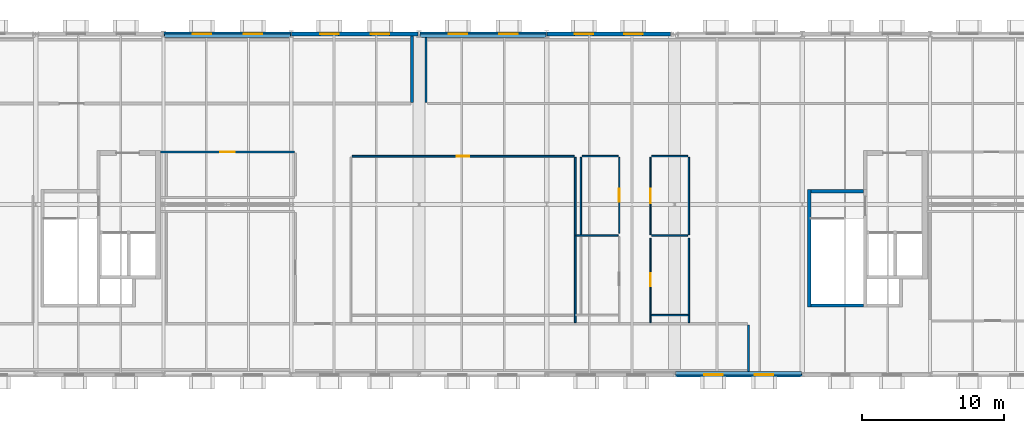
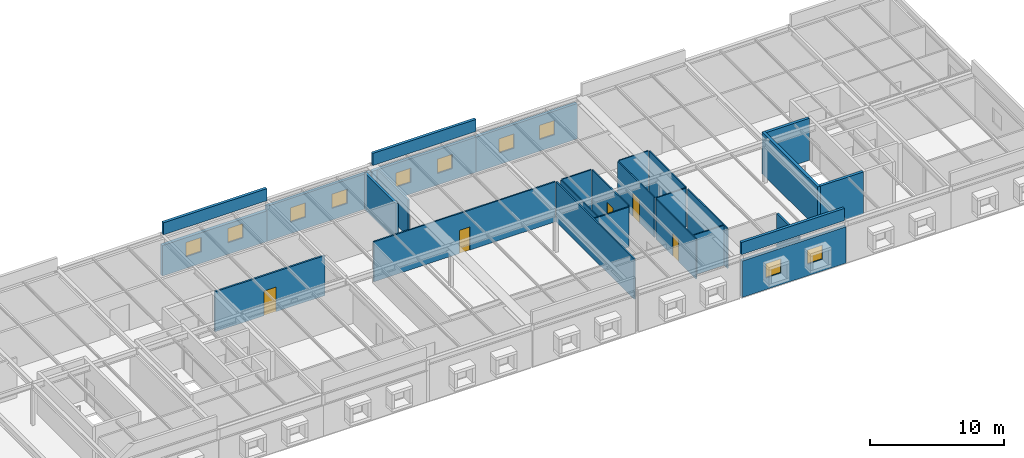
# One storey, part 13 of 16: 28 walls, 10 windows, 5 doors, 15 openings.
"""IFC4 building model written with IfcOpenShell, lengths in metres."""

from ifc_helpers import new_model, si_unit, direction, frame, frame_2d, origin, place, context, subcontext, project, spatial, rectangle, extrude, material, layer, layer_set, type_object, element, fill, save


model = new_model("IFC4")

# Units and contexts
model_context = context("Model", 3, precision=1e-05, world=origin(), true_north=direction((0.0, 1.0)))
body_context = subcontext(model_context, "Body", "Model", "MODEL_VIEW")
ifc_project = project(units=[si_unit("LENGTHUNIT", "METRE"), si_unit("AREAUNIT", "SQUARE_METRE"), si_unit("VOLUMEUNIT", "CUBIC_METRE"), si_unit("PLANEANGLEUNIT", "RADIAN"), si_unit("MASSUNIT", "GRAM", prefix="KILO")], contexts=[model_context])

# Site, building, storey
site_placement = place(None, origin())
site = spatial("IfcSite", under=ifc_project, at=site_placement, CompositionType="ELEMENT")
building_placement = place(site_placement, origin())
building = spatial("IfcBuilding", under=site, at=building_placement, Name="Montelvaro Courts of Justice", CompositionType="ELEMENT")
storey_placement = place(building_placement, frame((0.0, 0.0, 35.39990234375)))
storey = spatial("IfcBuildingStorey", under=building, at=storey_placement, Name="L08", CompositionType="ELEMENT", Elevation=35.39990234375)

# Walls
ifc_material_1 = material(Name="Gypsum board on metal stud")
ifc_layer_1 = layer(ifc_material_1, 0.14990234375)
ifc_layer_set_1 = layer_set([ifc_layer_1], Name="Gypsum board on metal stud")
wall_type_1 = type_object("IfcWallType", Name="ChambersPartition_150", PredefinedType="PARTITIONING", material=ifc_layer_set_1)
wall_1_placement = place(storey_placement, frame((104.199951171875, 3.52001953125, 0.0), z_axis=(0.0, 0.0, 1.0), x_axis=(0.0, -1.0, 0.0)))
element("IfcWall", 1, at=wall_1_placement, inside=storey, type_object=wall_type_1, Name="Interior Partition IW-04 (L08)", PredefinedType="PARTITIONING", context=body_context, shape_type="SweptSolid", body=[
    extrude(rectangle(XDim=3.284912109375, YDim=0.14990234375, at=frame_2d((1.642578125, 0.0))), origin(), (0.0, 0.0, 1.0), 3.64013671875),
])
wall_2_placement = place(storey_placement, frame((81.5, 19.179931640625, 0.0), z_axis=(0.0, 0.0, 1.0), x_axis=(0.0, 1.0, 0.0)))
element("IfcWall", 2, at=wall_2_placement, inside=storey, type_object=wall_type_1, Name="Interior Partition IW-04 (L08)", PredefinedType="PARTITIONING", context=body_context, shape_type="SweptSolid", body=[
    extrude(rectangle(XDim=4.5849609375, YDim=0.14990234375, at=frame_2d((2.29248046875, 0.0))), origin(), (0.0, 0.0, 1.0), 3.315185546875),
])

# Wall, opening, door
wall_3_placement = place(storey_placement, frame((62.794921875, 15.699951171875, 0.0), z_axis=(0.0, 0.0, 1.0), x_axis=(1.0, 0.0, 0.0)))
wall_3 = element("IfcWall", 3, at=wall_3_placement, inside=storey, type_object=wall_type_1, Name="Interior Partition IW-04 (L08)", PredefinedType="PARTITIONING", context=body_context, shape_type="SweptSolid", body=[
    extrude(rectangle(XDim=9.425048828125, YDim=0.14990234375, at=frame_2d((4.71240234375, 0.0))), origin(), (0.0, 0.0, 1.0), 3.64013671875),
])
opening_1_placement = place(wall_3_placement, frame((4.18701171875, 0.0, 0.0)))
opening_1 = element("IfcOpeningElement", 4, at=opening_1_placement, cuts=wall_3, Name="Opening D-L08-195", PredefinedType="OPENING", context=body_context, shape_type="SweptSolid", body=[
    extrude(rectangle(XDim=1.050048828125, YDim=2.25, at=frame_2d((0.52490234375, 1.125))), frame((0.0, 0.08984375, 0.0), z_axis=(0.0, -1.0, 0.0), x_axis=(1.0, 0.0, 0.0)), (0.0, 0.0, 1.0), 0.1796875),
])
ifc_material_2 = material(Name="Acoustic oak timber veneer", Category="wood")
door_type_1 = type_object("IfcDoorType", Name="ChamberDoor_105x225", OperationType="NOTDEFINED", PredefinedType="DOOR", material=ifc_material_2)
door_1_placement = place(opening_1_placement, frame((1.050048828125, 0.0, 0.0), z_axis=(0.0, 0.0, 1.0), x_axis=(-1.0, 0.0, 0.0)))
door_1 = element("IfcDoor", 5, at=door_1_placement, inside=storey, type_object=door_type_1, Name="Interior Door D-L08-195 (Presidency Protocol Office L08)", OperationType="SINGLE_SWING_LEFT", OverallHeight=2.25, OverallWidth=1.050048828125, PredefinedType="DOOR", context=body_context, shape_type="SweptSolid", body=[
    extrude(rectangle(XDim=1.050048828125, YDim=2.25, at=frame_2d((0.52490234375, 1.125))), frame((0.0, 0.02490234375, 0.0), z_axis=(0.0, -1.0, 0.0), x_axis=(1.0, 0.0, 0.0)), (0.0, 0.0, 1.0), 0.050048828125),
])
fill(opening_1, door_1)

# Wall
ifc_material_3 = material(Name="Gypsum acoustic double stud with mineral wool")
ifc_layer_2 = layer(ifc_material_3, 0.199951171875)
ifc_layer_set_2 = layer_set([ifc_layer_2], Name="Gypsum acoustic double stud with mineral wool")
wall_type_2 = type_object("IfcWallType", Name="CourtAcousticWall_200", PredefinedType="PARTITIONING", material=ifc_layer_set_2)
wall_4_placement = place(storey_placement, frame((80.5, 23.864990234375, 0.0), z_axis=(0.0, 0.0, 1.0), x_axis=(0.0, -1.0, 0.0)))
element("IfcWall", 6, at=wall_4_placement, inside=storey, type_object=wall_type_2, Name="Interior Partition IW-01 (L08)", PredefinedType="PARTITIONING", context=body_context, shape_type="SweptSolid", body=[
    extrude(rectangle(XDim=4.68505859375, YDim=0.199951171875, at=frame_2d((2.342529296875, 0.0))), origin(), (0.0, 0.0, 1.0), 3.315185546875),
])

# Wall, openings, windows
ifc_material_4 = material(Name="White mineral precast concrete C45/55", Category="concrete")
ifc_layer_3 = layer(ifc_material_4, 0.280029296875)
ifc_layer_set_3 = layer_set([ifc_layer_3], Name="White mineral precast concrete C45/55")
wall_type_3 = type_object("IfcWallType", Name="ExtWall_GFRC_280", PredefinedType="SOLIDWALL", material=ifc_layer_set_3)
wall_5_placement = place(storey_placement, frame((80.94189453125, 24.0, 0.0), z_axis=(0.0, 0.0, 1.0), x_axis=(-1.0, 0.0, 0.0)))
wall_5 = element("IfcWall", 7, at=wall_5_placement, inside=storey, type_object=wall_type_3, Name="Exterior Facade Wall EW-01 (L08)", PredefinedType="SOLIDWALL", context=body_context, shape_type="SweptSolid", body=[
    extrude(rectangle(XDim=8.933837890625, YDim=0.280029296875, at=frame_2d((4.466796875, 0.0))), origin(), (0.0, 0.0, 1.0), 3.205078125),
])
opening_2_placement = place(wall_5_placement, frame((2.030029296875, 0.0, 1.050048828125)))
opening_2 = element("IfcOpeningElement", 8, at=opening_2_placement, cuts=wall_5, Name="Opening WE-18", PredefinedType="OPENING", context=body_context, shape_type="SweptSolid", body=[
    extrude(rectangle(XDim=1.300048828125, YDim=1.300048828125, at=frame_2d((0.64990234375, 0.64990234375))), frame((0.0, 0.15478515625, 0.0), z_axis=(0.0, -1.0, 0.0), x_axis=(1.0, 0.0, 0.0)), (0.0, 0.0, 1.0), 0.309814453125),
])
opening_3_placement = place(wall_5_placement, frame((5.60400390625, 0.0, 1.050048828125)))
opening_3 = element("IfcOpeningElement", 9, at=opening_3_placement, cuts=wall_5, Name="Opening WE-18", PredefinedType="OPENING", context=body_context, shape_type="SweptSolid", body=[
    extrude(rectangle(XDim=1.300048828125, YDim=1.300048828125, at=frame_2d((0.64990234375, 0.64990234375))), frame((0.0, 0.15478515625, 0.0), z_axis=(0.0, -1.0, 0.0), x_axis=(1.0, 0.0, 0.0)), (0.0, 0.0, 1.0), 0.309814453125),
])
ifc_material_5 = material(Name="Low-E solar control double glazing", Category="glass")
window_type = type_object("IfcWindowType", Name="Win_Sq_130x130", PartitioningType="SINGLE_PANEL", PredefinedType="WINDOW", material=ifc_material_5)
window_1_placement = place(opening_2_placement, origin())
window_1 = element("IfcWindow", 10, at=window_1_placement, inside=storey, type_object=window_type, Name="Window W-L08-378", OverallHeight=1.300048828125, OverallWidth=1.300048828125, PartitioningType="SINGLE_PANEL", PredefinedType="WINDOW", context=body_context, shape_type="SweptSolid", body=[
    extrude(rectangle(XDim=1.300048828125, YDim=1.300048828125, at=frame_2d((0.64990234375, 0.64990234375))), frame((0.0, 0.030029296875, 0.0), z_axis=(0.0, -1.0, 0.0), x_axis=(1.0, 0.0, 0.0)), (0.0, 0.0, 1.0), 0.06005859375),
])
fill(opening_2, window_1)
window_2_placement = place(opening_3_placement, origin())
window_2 = element("IfcWindow", 11, at=window_2_placement, inside=storey, type_object=window_type, Name="Window W-L08-379", OverallHeight=1.300048828125, OverallWidth=1.300048828125, PartitioningType="SINGLE_PANEL", PredefinedType="WINDOW", context=body_context, shape_type="SweptSolid", body=[
    extrude(rectangle(XDim=1.300048828125, YDim=1.300048828125, at=frame_2d((0.64990234375, 0.64990234375))), frame((0.0, 0.030029296875, 0.0), z_axis=(0.0, -1.0, 0.0), x_axis=(1.0, 0.0, 0.0)), (0.0, 0.0, 1.0), 0.06005859375),
])
fill(opening_3, window_2)

wall_6_placement = place(storey_placement, frame((71.991943359375, 24.0, 0.0), z_axis=(0.0, 0.0, 1.0), x_axis=(-1.0, 0.0, 0.0)))
wall_6 = element("IfcWall", 12, at=wall_6_placement, inside=storey, type_object=wall_type_3, Name="Exterior Facade Wall EW-01 (L08)", PredefinedType="SOLIDWALL", context=body_context, shape_type="SweptSolid", body=[
    extrude(rectangle(XDim=8.98388671875, YDim=0.280029296875, at=frame_2d((4.491943359375, 0.0))), origin(), (0.0, 0.0, 1.0), 2.787109375),
])
opening_4_placement = place(wall_6_placement, frame((2.044921875, 0.0, 1.050048828125)))
opening_4 = element("IfcOpeningElement", 13, at=opening_4_placement, cuts=wall_6, Name="Opening WE-18", PredefinedType="OPENING", context=body_context, shape_type="SweptSolid", body=[
    extrude(rectangle(XDim=1.300048828125, YDim=1.300048828125, at=frame_2d((0.64990234375, 0.64990234375))), frame((0.0, 0.15478515625, 0.0), z_axis=(0.0, -1.0, 0.0), x_axis=(1.0, 0.0, 0.0)), (0.0, 0.0, 1.0), 0.309814453125),
])
opening_5_placement = place(wall_6_placement, frame((5.638916015625, 0.0, 1.050048828125)))
opening_5 = element("IfcOpeningElement", 14, at=opening_5_placement, cuts=wall_6, Name="Opening WE-18", PredefinedType="OPENING", context=body_context, shape_type="SweptSolid", body=[
    extrude(rectangle(XDim=1.300048828125, YDim=1.300048828125, at=frame_2d((0.64990234375, 0.64990234375))), frame((0.0, 0.15478515625, 0.0), z_axis=(0.0, -1.0, 0.0), x_axis=(1.0, 0.0, 0.0)), (0.0, 0.0, 1.0), 0.309814453125),
])
window_3_placement = place(opening_4_placement, origin())
window_3 = element("IfcWindow", 15, at=window_3_placement, inside=storey, type_object=window_type, Name="Window W-L08-380", OverallHeight=1.300048828125, OverallWidth=1.300048828125, PartitioningType="SINGLE_PANEL", PredefinedType="WINDOW", context=body_context, shape_type="SweptSolid", body=[
    extrude(rectangle(XDim=1.300048828125, YDim=1.300048828125, at=frame_2d((0.64990234375, 0.64990234375))), frame((0.0, 0.030029296875, 0.0), z_axis=(0.0, -1.0, 0.0), x_axis=(1.0, 0.0, 0.0)), (0.0, 0.0, 1.0), 0.06005859375),
])
fill(opening_4, window_3)
window_4_placement = place(opening_5_placement, origin())
window_4 = element("IfcWindow", 16, at=window_4_placement, inside=storey, type_object=window_type, Name="Window W-L08-381", OverallHeight=1.300048828125, OverallWidth=1.300048828125, PartitioningType="SINGLE_PANEL", PredefinedType="WINDOW", context=body_context, shape_type="SweptSolid", body=[
    extrude(rectangle(XDim=1.300048828125, YDim=1.300048828125, at=frame_2d((0.64990234375, 0.64990234375))), frame((0.0, 0.030029296875, 0.0), z_axis=(0.0, -1.0, 0.0), x_axis=(1.0, 0.0, 0.0)), (0.0, 0.0, 1.0), 0.06005859375),
])
fill(opening_5, window_4)

wall_7_placement = place(storey_placement, frame((98.701904296875, 24.0, 0.0), z_axis=(0.0, 0.0, 1.0), x_axis=(-1.0, 0.0, 0.0)))
wall_7 = element("IfcWall", 17, at=wall_7_placement, inside=storey, type_object=wall_type_3, Name="Exterior Facade Wall EW-01 (L08)", PredefinedType="SOLIDWALL", context=body_context, shape_type="SweptSolid", body=[
    extrude(rectangle(XDim=8.69384765625, YDim=0.280029296875, at=frame_2d((4.346923828125, 0.0))), origin(), (0.0, 0.0, 1.0), 3.205078125),
])
opening_6_placement = place(wall_7_placement, frame((1.9580078125, 0.0, 1.050048828125)))
opening_6 = element("IfcOpeningElement", 18, at=opening_6_placement, cuts=wall_7, Name="Opening WE-18", PredefinedType="OPENING", context=body_context, shape_type="SweptSolid", body=[
    extrude(rectangle(XDim=1.300048828125, YDim=1.300048828125, at=frame_2d((0.64990234375, 0.64990234375))), frame((0.0, 0.15478515625, 0.0), z_axis=(0.0, -1.0, 0.0), x_axis=(1.0, 0.0, 0.0)), (0.0, 0.0, 1.0), 0.309814453125),
])
opening_7_placement = place(wall_7_placement, frame((5.43603515625, 0.0, 1.050048828125)))
opening_7 = element("IfcOpeningElement", 19, at=opening_7_placement, cuts=wall_7, Name="Opening WE-18", PredefinedType="OPENING", context=body_context, shape_type="SweptSolid", body=[
    extrude(rectangle(XDim=1.300048828125, YDim=1.300048828125, at=frame_2d((0.64990234375, 0.64990234375))), frame((0.0, 0.15478515625, 0.0), z_axis=(0.0, -1.0, 0.0), x_axis=(1.0, 0.0, 0.0)), (0.0, 0.0, 1.0), 0.309814453125),
])
window_5_placement = place(opening_6_placement, origin())
window_5 = element("IfcWindow", 20, at=window_5_placement, inside=storey, type_object=window_type, Name="Window W-L08-394", OverallHeight=1.300048828125, OverallWidth=1.300048828125, PartitioningType="SINGLE_PANEL", PredefinedType="WINDOW", context=body_context, shape_type="SweptSolid", body=[
    extrude(rectangle(XDim=1.300048828125, YDim=1.300048828125, at=frame_2d((0.64990234375, 0.64990234375))), frame((0.0, 0.030029296875, 0.0), z_axis=(0.0, -1.0, 0.0), x_axis=(1.0, 0.0, 0.0)), (0.0, 0.0, 1.0), 0.06005859375),
])
fill(opening_6, window_5)
window_6_placement = place(opening_7_placement, origin())
window_6 = element("IfcWindow", 21, at=window_6_placement, inside=storey, type_object=window_type, Name="Window W-L08-395", OverallHeight=1.300048828125, OverallWidth=1.300048828125, PartitioningType="SINGLE_PANEL", PredefinedType="WINDOW", context=body_context, shape_type="SweptSolid", body=[
    extrude(rectangle(XDim=1.300048828125, YDim=1.300048828125, at=frame_2d((0.64990234375, 0.64990234375))), frame((0.0, 0.030029296875, 0.0), z_axis=(0.0, -1.0, 0.0), x_axis=(1.0, 0.0, 0.0)), (0.0, 0.0, 1.0), 0.06005859375),
])
fill(opening_7, window_6)

wall_8_placement = place(storey_placement, frame((89.991943359375, 24.0, 0.0), z_axis=(0.0, 0.0, 1.0), x_axis=(-1.0, 0.0, 0.0)))
wall_8 = element("IfcWall", 22, at=wall_8_placement, inside=storey, type_object=wall_type_3, Name="Exterior Facade Wall EW-01 (L08)", PredefinedType="SOLIDWALL", context=body_context, shape_type="SweptSolid", body=[
    extrude(rectangle(XDim=8.933837890625, YDim=0.280029296875, at=frame_2d((4.466796875, 0.0))), origin(), (0.0, 0.0, 1.0), 3.205078125),
])
opening_8_placement = place(wall_8_placement, frame((2.030029296875, 0.0, 1.050048828125)))
opening_8 = element("IfcOpeningElement", 23, at=opening_8_placement, cuts=wall_8, Name="Opening WE-18", PredefinedType="OPENING", context=body_context, shape_type="SweptSolid", body=[
    extrude(rectangle(XDim=1.300048828125, YDim=1.300048828125, at=frame_2d((0.64990234375, 0.64990234375))), frame((0.0, 0.15478515625, 0.0), z_axis=(0.0, -1.0, 0.0), x_axis=(1.0, 0.0, 0.0)), (0.0, 0.0, 1.0), 0.309814453125),
])
opening_9_placement = place(wall_8_placement, frame((5.60400390625, 0.0, 1.050048828125)))
opening_9 = element("IfcOpeningElement", 24, at=opening_9_placement, cuts=wall_8, Name="Opening WE-18", PredefinedType="OPENING", context=body_context, shape_type="SweptSolid", body=[
    extrude(rectangle(XDim=1.300048828125, YDim=1.300048828125, at=frame_2d((0.64990234375, 0.64990234375))), frame((0.0, 0.15478515625, 0.0), z_axis=(0.0, -1.0, 0.0), x_axis=(1.0, 0.0, 0.0)), (0.0, 0.0, 1.0), 0.309814453125),
])
window_7_placement = place(opening_8_placement, origin())
window_7 = element("IfcWindow", 25, at=window_7_placement, inside=storey, type_object=window_type, Name="Window W-L08-396", OverallHeight=1.300048828125, OverallWidth=1.300048828125, PartitioningType="SINGLE_PANEL", PredefinedType="WINDOW", context=body_context, shape_type="SweptSolid", body=[
    extrude(rectangle(XDim=1.300048828125, YDim=1.300048828125, at=frame_2d((0.64990234375, 0.64990234375))), frame((0.0, 0.030029296875, 0.0), z_axis=(0.0, -1.0, 0.0), x_axis=(1.0, 0.0, 0.0)), (0.0, 0.0, 1.0), 0.06005859375),
])
fill(opening_8, window_7)
window_8_placement = place(opening_9_placement, origin())
window_8 = element("IfcWindow", 26, at=window_8_placement, inside=storey, type_object=window_type, Name="Window W-L08-397", OverallHeight=1.300048828125, OverallWidth=1.300048828125, PartitioningType="SINGLE_PANEL", PredefinedType="WINDOW", context=body_context, shape_type="SweptSolid", body=[
    extrude(rectangle(XDim=1.300048828125, YDim=1.300048828125, at=frame_2d((0.64990234375, 0.64990234375))), frame((0.0, 0.030029296875, 0.0), z_axis=(0.0, -1.0, 0.0), x_axis=(1.0, 0.0, 0.0)), (0.0, 0.0, 1.0), 0.06005859375),
])
fill(opening_9, window_8)

wall_9_placement = place(storey_placement, frame((99.05810546875, 0.0, 0.0), z_axis=(0.0, 0.0, 1.0), x_axis=(1.0, 0.0, 0.0)))
wall_9 = element("IfcWall", 27, at=wall_9_placement, inside=storey, type_object=wall_type_3, Name="Exterior Facade Wall EW-01 (L08)", PredefinedType="SOLIDWALL", context=body_context, shape_type="SweptSolid", body=[
    extrude(rectangle(XDim=8.933837890625, YDim=0.280029296875, at=frame_2d((4.466796875, 0.0))), origin(), (0.0, 0.0, 1.0), 3.30517578125),
])
opening_10_placement = place(wall_9_placement, frame((2.030029296875, 0.0, 1.050048828125)))
opening_10 = element("IfcOpeningElement", 28, at=opening_10_placement, cuts=wall_9, Name="Opening WE-18", PredefinedType="OPENING", context=body_context, shape_type="SweptSolid", body=[
    extrude(rectangle(XDim=1.300048828125, YDim=1.300048828125, at=frame_2d((0.64990234375, 0.64990234375))), frame((0.0, 0.15478515625, 0.0), z_axis=(0.0, -1.0, 0.0), x_axis=(1.0, 0.0, 0.0)), (0.0, 0.0, 1.0), 0.309814453125),
])
opening_11_placement = place(wall_9_placement, frame((5.60400390625, 0.0, 1.050048828125)))
opening_11 = element("IfcOpeningElement", 29, at=opening_11_placement, cuts=wall_9, Name="Opening WE-18", PredefinedType="OPENING", context=body_context, shape_type="SweptSolid", body=[
    extrude(rectangle(XDim=1.300048828125, YDim=1.300048828125, at=frame_2d((0.64990234375, 0.64990234375))), frame((0.0, 0.15478515625, 0.0), z_axis=(0.0, -1.0, 0.0), x_axis=(1.0, 0.0, 0.0)), (0.0, 0.0, 1.0), 0.309814453125),
])
window_9_placement = place(opening_10_placement, origin())
window_9 = element("IfcWindow", 30, at=window_9_placement, inside=storey, type_object=window_type, Name="Window W-L08-398", OverallHeight=1.300048828125, OverallWidth=1.300048828125, PartitioningType="SINGLE_PANEL", PredefinedType="WINDOW", context=body_context, shape_type="SweptSolid", body=[
    extrude(rectangle(XDim=1.300048828125, YDim=1.300048828125, at=frame_2d((0.64990234375, 0.64990234375))), frame((0.0, 0.030029296875, 0.0), z_axis=(0.0, -1.0, 0.0), x_axis=(1.0, 0.0, 0.0)), (0.0, 0.0, 1.0), 0.06005859375),
])
fill(opening_10, window_9)
window_10_placement = place(opening_11_placement, origin())
window_10 = element("IfcWindow", 31, at=window_10_placement, inside=storey, type_object=window_type, Name="Window W-L08-399", OverallHeight=1.300048828125, OverallWidth=1.300048828125, PartitioningType="SINGLE_PANEL", PredefinedType="WINDOW", context=body_context, shape_type="SweptSolid", body=[
    extrude(rectangle(XDim=1.300048828125, YDim=1.300048828125, at=frame_2d((0.64990234375, 0.64990234375))), frame((0.0, 0.030029296875, 0.0), z_axis=(0.0, -1.0, 0.0), x_axis=(1.0, 0.0, 0.0)), (0.0, 0.0, 1.0), 0.06005859375),
])
fill(opening_11, window_10)

# Wall, opening, door
ifc_layer_4 = layer(ifc_material_1, 0.1201171875)
ifc_layer_set_4 = layer_set([ifc_layer_4], Name="Gypsum board on metal stud")
wall_type_4 = type_object("IfcWallType", Name="OfficePartition_120", PredefinedType="PARTITIONING", material=ifc_layer_set_4)
wall_10_placement = place(storey_placement, frame((76.280029296875, 15.39990234375, 0.0), z_axis=(0.0, 0.0, 1.0), x_axis=(1.0, 0.0, 0.0)))
wall_10 = element("IfcWall", 32, at=wall_10_placement, inside=storey, type_object=wall_type_4, Name="Interior Partition IW-05 (L08)", PredefinedType="PARTITIONING", context=body_context, shape_type="SweptSolid", body=[
    extrude(rectangle(XDim=15.639892578125, YDim=0.1201171875, at=frame_2d((7.81982421875, 0.0))), origin(), (0.0, 0.0, 1.0), 3.64013671875),
])
opening_12_placement = place(wall_10_placement, frame((7.3701171875, 0.0, 0.0)))
opening_12 = element("IfcOpeningElement", 33, at=opening_12_placement, cuts=wall_10, Name="Opening D-L08-196", PredefinedType="OPENING", context=body_context, shape_type="SweptSolid", body=[
    extrude(rectangle(XDim=0.89990234375, YDim=2.10009765625, at=frame_2d((0.449951171875, 1.050048828125))), frame((0.0, 0.074951171875, 0.0), z_axis=(0.0, -1.0, 0.0), x_axis=(1.0, 0.0, 0.0)), (0.0, 0.0, 1.0), 0.14990234375),
])
door_type_2 = type_object("IfcDoorType", Name="OfficeDoor_090x210", OperationType="NOTDEFINED", PredefinedType="DOOR", material=ifc_material_2)
door_2_placement = place(opening_12_placement, origin())
door_2 = element("IfcDoor", 34, at=door_2_placement, inside=storey, type_object=door_type_2, Name="Interior Door D-L08-196 (Protocol and Press Briefing Hall)", OperationType="SINGLE_SWING_RIGHT", OverallHeight=2.10009765625, OverallWidth=0.89990234375, PredefinedType="DOOR", context=body_context, shape_type="SweptSolid", body=[
    extrude(rectangle(XDim=0.89990234375, YDim=2.10009765625, at=frame_2d((0.449951171875, 1.050048828125))), frame((0.0, 0.02490234375, 0.0), z_axis=(0.0, -1.0, 0.0), x_axis=(1.0, 0.0, 0.0)), (0.0, 0.0, 1.0), 0.050048828125),
])
fill(opening_12, door_2)

# Walls
wall_11_placement = place(storey_placement, frame((92.0, 15.320068359375, 0.0), z_axis=(0.0, 0.0, 1.0), x_axis=(0.0, -1.0, 0.0)))
element("IfcWall", 35, at=wall_11_placement, inside=storey, type_object=wall_type_4, Name="Interior Partition IW-05 (L08)", PredefinedType="PARTITIONING", context=body_context, shape_type="SweptSolid", body=[
    extrude(rectangle(XDim=11.650146484375, YDim=0.1201171875, at=frame_2d((5.8251953125, 0.0))), origin(), (0.0, 0.0, 1.0), 3.64013671875),
])
ifc_layer_5 = layer(ifc_material_4, 0.239990234375)
ifc_layer_set_5 = layer_set([ifc_layer_5], Name="White mineral precast concrete C45/55")
wall_type_5 = type_object("IfcWallType", Name="ParapetWall_240", PredefinedType="PARAPET", material=ifc_layer_set_5)
for number, where, z_axis, x_axis, name in (
    (36, (99.06005859375, 0.1201171875, 3.800048828125), (0.0, 0.0, 1.0), (1.0, 0.0, 0.0), "Roof Parapet PW-01 L08-005"),
    (37, (89.93994140625, 23.8798828125, 3.800048828125), (0.0, 0.0, 1.0), (-1.0, 0.0, 0.0), "Roof Parapet PW-01 L08-010"),
    (38, (71.93994140625, 23.8798828125, 3.800048828125), (0.0, 0.0, 1.0), (-1.0, 0.0, 0.0), "Roof Parapet PW-01 L08-011"),
):
    element("IfcWall", number, at=place(storey_placement, frame(where, z_axis=z_axis, x_axis=x_axis)), inside=storey, type_object=wall_type_5, Name=name, PredefinedType="PARAPET", context=body_context, shape_type="SweptSolid", body=[
        extrude(rectangle(XDim=8.8798828125, YDim=0.239990234375, at=frame_2d((4.43994140625, 0.0))), origin(), (0.0, 0.0, 1.0), 1.10009765625),
    ])
ifc_material_6 = material(Name="Concrete C35/45", Category="concrete")
ifc_layer_6 = layer(ifc_material_6, 0.239990234375)
ifc_layer_set_6 = layer_set([ifc_layer_6], Name="Concrete C35/45")
wall_type_6 = type_object("IfcWallType", Name="ShaftWall_240", PredefinedType="SHEAR", material=ifc_layer_set_6)
wall_12_placement = place(storey_placement, frame((108.47998046875, 4.760009765625, 0.0), z_axis=(0.0, 0.0, 1.0), x_axis=(0.0, 1.0, 0.0)))
element("IfcWall", 39, at=wall_12_placement, inside=storey, type_object=wall_type_6, Name="Protected Stair Structural Wall ST-K2-W (L08)", PredefinedType="SHEAR", context=body_context, shape_type="SweptSolid", body=[
    extrude(rectangle(XDim=8.280029296875, YDim=0.239990234375, at=frame_2d((4.14013671875, 0.0))), origin(), (0.0, 0.0, 1.0), 3.81005859375),
])
for number, where, z_axis, x_axis, name in (
    (40, (108.60009765625, 4.8798828125, 0.0), (0.0, 0.0, 1.0), (1.0, 0.0, 0.0), "Protected Stair Structural Wall ST-K2-S (L08)"),
    (41, (108.60009765625, 12.919921875, 0.0), (0.0, 0.0, 1.0), (1.0, 0.0, 0.0), "Protected Stair Structural Wall ST-K2-N (L08)"),
):
    element("IfcWall", number, at=place(storey_placement, frame(where, z_axis=z_axis, x_axis=x_axis)), inside=storey, type_object=wall_type_6, Name=name, PredefinedType="SHEAR", context=body_context, shape_type="SweptSolid", body=[
        extrude(rectangle(XDim=3.699951171875, YDim=0.239990234375, at=frame_2d((1.85009765625, 0.0))), origin(), (0.0, 0.0, 1.0), 3.81005859375),
    ])
ifc_material_7 = material(Name="Moisture-resistant cement board")
ifc_layer_7 = layer(ifc_material_7, 0.10009765625)
ifc_layer_set_7 = layer_set([ifc_layer_7], Name="Moisture-resistant cement board")
wall_type_7 = type_object("IfcWallType", Name="WetWall_100", PredefinedType="PARTITIONING", material=ifc_layer_set_7)
wall_13_placement = place(storey_placement, frame((92.054931640625, 9.800048828125, 0.0), z_axis=(0.0, 0.0, 1.0), x_axis=(1.0, 0.0, 0.0)))
element("IfcWall", 42, at=wall_13_placement, inside=storey, type_object=wall_type_7, Name="Interior Partition IW-06 (L08)", PredefinedType="PARTITIONING", context=body_context, shape_type="SweptSolid", body=[
    extrude(rectangle(XDim=2.965087890625, YDim=0.10009765625, at=frame_2d((1.482421875, 0.0))), origin(), (0.0, 0.0, 1.0), 3.64013671875),
])
wall_14_placement = place(storey_placement, frame((92.47998046875, 15.39990234375, 0.0), z_axis=(0.0, 0.0, 1.0), x_axis=(1.0, 0.0, 0.0)))
element("IfcWall", 43, at=wall_14_placement, inside=storey, type_object=wall_type_7, Name="Interior Partition IW-06 (L08)", PredefinedType="PARTITIONING", context=body_context, shape_type="SweptSolid", body=[
    extrude(rectangle(XDim=2.5400390625, YDim=0.10009765625, at=frame_2d((1.27001953125, 0.0))), origin(), (0.0, 0.0, 1.0), 3.64013671875),
])

# Wall, opening, door
wall_15_placement = place(storey_placement, frame((95.10009765625, 15.320068359375, 0.0), z_axis=(0.0, 0.0, 1.0), x_axis=(0.0, -1.0, 0.0)))
wall_15 = element("IfcWall", 44, at=wall_15_placement, inside=storey, type_object=wall_type_7, Name="Interior Partition IW-06 (L08)", PredefinedType="PARTITIONING", context=body_context, shape_type="SweptSolid", body=[
    extrude(rectangle(XDim=5.340087890625, YDim=0.10009765625, at=frame_2d((2.669921875, 0.0))), origin(), (0.0, 0.0, 1.0), 3.64013671875),
])
opening_13_placement = place(wall_15_placement, frame((2.219970703125, 0.0, 0.0)))
opening_13 = element("IfcOpeningElement", 45, at=opening_13_placement, cuts=wall_15, Name="Opening D-L08-200", PredefinedType="OPENING", context=body_context, shape_type="SweptSolid", body=[
    extrude(rectangle(XDim=0.89990234375, YDim=2.050048828125, at=frame_2d((0.449951171875, 1.02490234375))), frame((0.0, 0.06494140625, 0.0), z_axis=(0.0, -1.0, 0.0), x_axis=(1.0, 0.0, 0.0)), (0.0, 0.0, 1.0), 0.1298828125),
])
door_type_3 = type_object("IfcDoorType", Name="RestroomDoor_090x205", OperationType="NOTDEFINED", PredefinedType="DOOR", material=ifc_material_2)
door_3_placement = place(opening_13_placement, origin())
door_3 = element("IfcDoor", 46, at=door_3_placement, inside=storey, type_object=door_type_3, Name="Interior Door D-L08-200 (Presidency Female Restroom)", OperationType="SINGLE_SWING_RIGHT", OverallHeight=2.050048828125, OverallWidth=0.89990234375, PredefinedType="DOOR", context=body_context, shape_type="SweptSolid", body=[
    extrude(rectangle(XDim=0.89990234375, YDim=2.050048828125, at=frame_2d((0.449951171875, 1.02490234375))), frame((0.0, 0.02490234375, 0.0), z_axis=(0.0, -1.0, 0.0), x_axis=(1.0, 0.0, 0.0)), (0.0, 0.0, 1.0), 0.050048828125),
])
fill(opening_13, door_3)

# Walls
wall_16_placement = place(storey_placement, frame((92.39990234375, 9.844970703125, 0.0), z_axis=(0.0, 0.0, 1.0), x_axis=(0.0, 1.0, 0.0)))
element("IfcWall", 47, at=wall_16_placement, inside=storey, type_object=wall_type_7, Name="Interior Partition IW-06 (L08)", PredefinedType="PARTITIONING", context=body_context, shape_type="SweptSolid", body=[
    extrude(rectangle(XDim=5.47509765625, YDim=0.10009765625, at=frame_2d((2.737548828125, 0.0))), origin(), (0.0, 0.0, 1.0), 3.64013671875),
])
wall_17_placement = place(storey_placement, frame((97.3798828125, 15.39990234375, 0.0), z_axis=(0.0, 0.0, 1.0), x_axis=(1.0, 0.0, 0.0)))
element("IfcWall", 48, at=wall_17_placement, inside=storey, type_object=wall_type_7, Name="Interior Partition IW-06 (L08)", PredefinedType="PARTITIONING", context=body_context, shape_type="SweptSolid", body=[
    extrude(rectangle(XDim=2.5400390625, YDim=0.10009765625, at=frame_2d((1.27001953125, 0.0))), origin(), (0.0, 0.0, 1.0), 3.64013671875),
])
wall_18_placement = place(storey_placement, frame((100.0, 15.320068359375, 0.0), z_axis=(0.0, 0.0, 1.0), x_axis=(0.0, -1.0, 0.0)))
element("IfcWall", 49, at=wall_18_placement, inside=storey, type_object=wall_type_7, Name="Interior Partition IW-06 (L08)", PredefinedType="PARTITIONING", context=body_context, shape_type="SweptSolid", body=[
    extrude(rectangle(XDim=5.440185546875, YDim=0.10009765625, at=frame_2d((2.72021484375, 0.0))), origin(), (0.0, 0.0, 1.0), 3.64013671875),
])
wall_19_placement = place(storey_placement, frame((99.919921875, 9.800048828125, 0.0), z_axis=(0.0, 0.0, 1.0), x_axis=(-1.0, 0.0, 0.0)))
element("IfcWall", 50, at=wall_19_placement, inside=storey, type_object=wall_type_7, Name="Interior Partition IW-06 (L08)", PredefinedType="PARTITIONING", context=body_context, shape_type="SweptSolid", body=[
    extrude(rectangle(XDim=2.5400390625, YDim=0.10009765625, at=frame_2d((1.27001953125, 0.0))), origin(), (0.0, 0.0, 1.0), 3.64013671875),
])

# Wall, opening, door
wall_20_placement = place(storey_placement, frame((97.300048828125, 9.8798828125, 0.0), z_axis=(0.0, 0.0, 1.0), x_axis=(0.0, 1.0, 0.0)))
wall_20 = element("IfcWall", 51, at=wall_20_placement, inside=storey, type_object=wall_type_7, Name="Interior Partition IW-06 (L08)", PredefinedType="PARTITIONING", context=body_context, shape_type="SweptSolid", body=[
    extrude(rectangle(XDim=5.440185546875, YDim=0.10009765625, at=frame_2d((2.72021484375, 0.0))), origin(), (0.0, 0.0, 1.0), 3.64013671875),
])
opening_14_placement = place(wall_20_placement, frame((2.219970703125, 0.0, 0.0)))
opening_14 = element("IfcOpeningElement", 52, at=opening_14_placement, cuts=wall_20, Name="Opening D-L08-201", PredefinedType="OPENING", context=body_context, shape_type="SweptSolid", body=[
    extrude(rectangle(XDim=1.0, YDim=2.10009765625, at=frame_2d((0.5, 1.050048828125))), frame((0.0, 0.06494140625, 0.0), z_axis=(0.0, -1.0, 0.0), x_axis=(1.0, 0.0, 0.0)), (0.0, 0.0, 1.0), 0.1298828125),
])
door_type_4 = type_object("IfcDoorType", Name="AccessibleWCDoor_100x210", OperationType="NOTDEFINED", PredefinedType="DOOR", material=ifc_material_2)
door_4_placement = place(opening_14_placement, frame((1.0, 0.0, 0.0), z_axis=(0.0, 0.0, 1.0), x_axis=(-1.0, 0.0, 0.0)))
door_4 = element("IfcDoor", 53, at=door_4_placement, inside=storey, type_object=door_type_4, Name="Interior Door D-L08-201 (Presidency Accessible WC)", OperationType="SINGLE_SWING_LEFT", OverallHeight=2.10009765625, OverallWidth=1.0, PredefinedType="DOOR", context=body_context, shape_type="SweptSolid", body=[
    extrude(rectangle(XDim=1.0, YDim=2.10009765625, at=frame_2d((0.5, 1.050048828125))), frame((0.0, 0.02490234375, 0.0), z_axis=(0.0, -1.0, 0.0), x_axis=(1.0, 0.0, 0.0)), (0.0, 0.0, 1.0), 0.050048828125),
])
fill(opening_14, door_4)

# Walls
wall_21_placement = place(storey_placement, frame((100.0, 9.6201171875, 0.0), z_axis=(0.0, 0.0, 1.0), x_axis=(0.0, -1.0, 0.0)))
element("IfcWall", 54, at=wall_21_placement, inside=storey, type_object=wall_type_7, Name="Interior Partition IW-06 (L08)", PredefinedType="PARTITIONING", context=body_context, shape_type="SweptSolid", body=[
    extrude(rectangle(XDim=5.9501953125, YDim=0.10009765625, at=frame_2d((2.97509765625, 0.0))), origin(), (0.0, 0.0, 1.0), 3.64013671875),
])
wall_22_placement = place(storey_placement, frame((99.955078125, 4.199951171875, 0.0), z_axis=(0.0, 0.0, 1.0), x_axis=(-1.0, 0.0, 0.0)))
element("IfcWall", 55, at=wall_22_placement, inside=storey, type_object=wall_type_7, Name="Interior Partition IW-06 (L08)", PredefinedType="PARTITIONING", context=body_context, shape_type="SweptSolid", body=[
    extrude(rectangle(XDim=2.5751953125, YDim=0.10009765625, at=frame_2d((1.28759765625, 0.0))), origin(), (0.0, 0.0, 1.0), 3.64013671875),
])

# Wall, opening, door
wall_23_placement = place(storey_placement, frame((97.300048828125, 3.669921875, 0.0), z_axis=(0.0, 0.0, 1.0), x_axis=(0.0, 1.0, 0.0)))
wall_23 = element("IfcWall", 56, at=wall_23_placement, inside=storey, type_object=wall_type_7, Name="Interior Partition IW-06 (L08)", PredefinedType="PARTITIONING", context=body_context, shape_type="SweptSolid", body=[
    extrude(rectangle(XDim=5.9501953125, YDim=0.10009765625, at=frame_2d((2.97509765625, 0.0))), origin(), (0.0, 0.0, 1.0), 3.64013671875),
])
opening_15_placement = place(wall_23_placement, frame((2.571044921875, 0.0, 0.0)))
opening_15 = element("IfcOpeningElement", 57, at=opening_15_placement, cuts=wall_23, Name="Opening D-L08-202", PredefinedType="OPENING", context=body_context, shape_type="SweptSolid", body=[
    extrude(rectangle(XDim=0.89990234375, YDim=2.050048828125, at=frame_2d((0.449951171875, 1.02490234375))), frame((0.0, 0.06494140625, 0.0), z_axis=(0.0, -1.0, 0.0), x_axis=(1.0, 0.0, 0.0)), (0.0, 0.0, 1.0), 0.1298828125),
])
door_5_placement = place(opening_15_placement, origin())
door_5 = element("IfcDoor", 58, at=door_5_placement, inside=storey, type_object=door_type_3, Name="Interior Door D-L08-202 (Presidency Cleaners' Store)", OperationType="SINGLE_SWING_RIGHT", OverallHeight=2.050048828125, OverallWidth=0.89990234375, PredefinedType="DOOR", context=body_context, shape_type="SweptSolid", body=[
    extrude(rectangle(XDim=0.89990234375, YDim=2.050048828125, at=frame_2d((0.449951171875, 1.02490234375))), frame((0.0, 0.02490234375, 0.0), z_axis=(0.0, -1.0, 0.0), x_axis=(1.0, 0.0, 0.0)), (0.0, 0.0, 1.0), 0.050048828125),
])
fill(opening_15, door_5)

save(model, "model.ifc")
